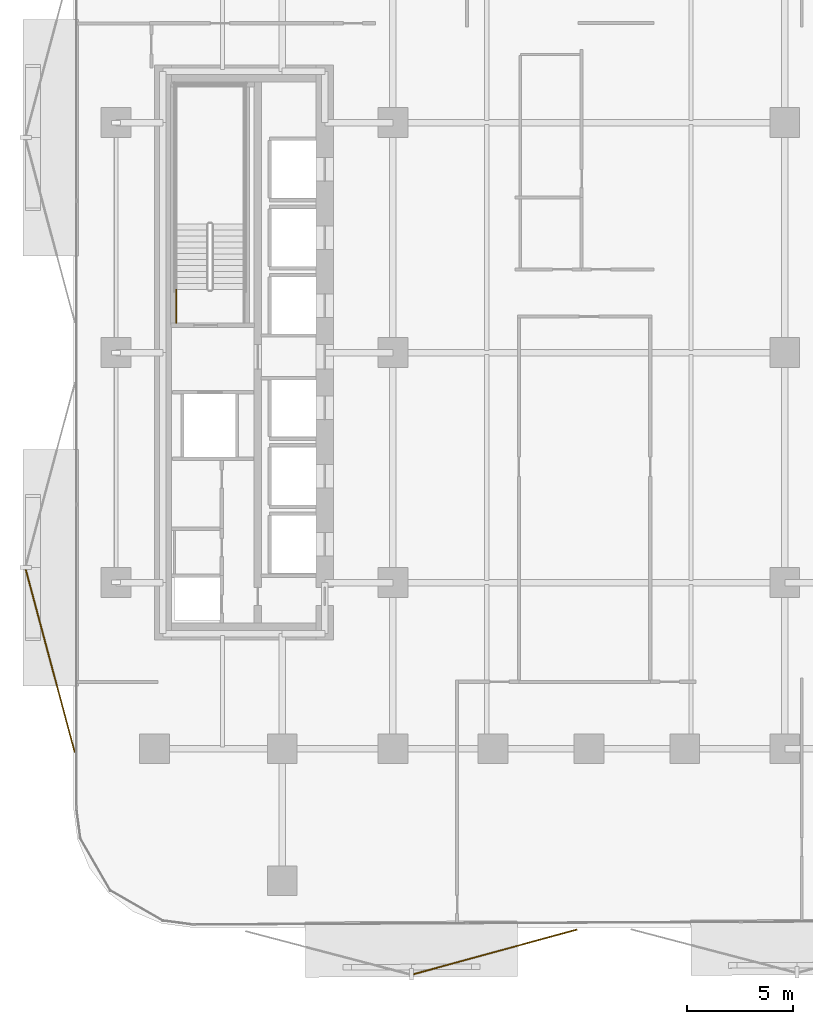
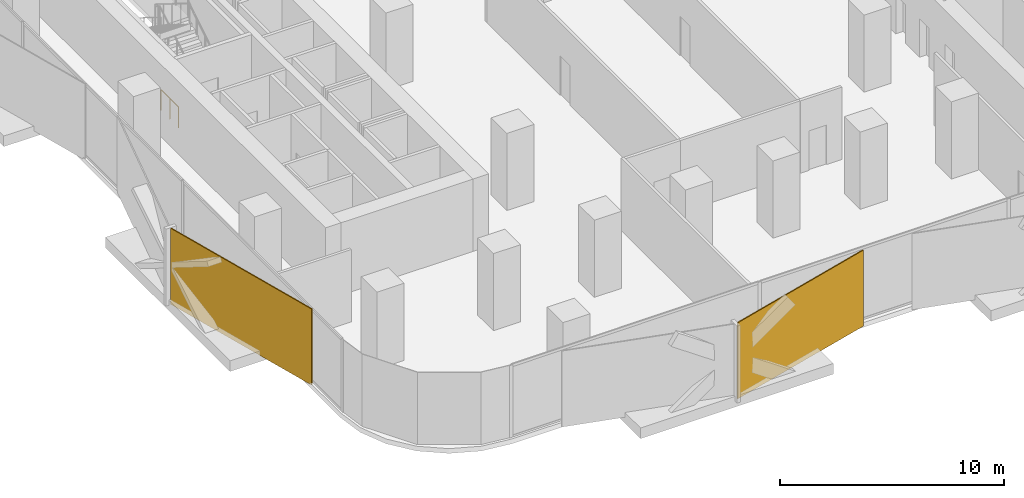
# One storey, part 12 of 16: 2 coverings, 1 railing.
"""IFC4 building model written with IfcOpenShell, lengths in metres."""

from ifc_helpers import new_model, si_unit, direction, frame, origin, origin_2d, place, context, subcontext, project, spatial, rectangle, circle, extrude, material, layer, layer_set, type_object, element, save


model = new_model("IFC4")

# Units and contexts
model_context = context("Model", 3, precision=1e-05, world=origin(), true_north=direction((0.0, 1.0)))
body_context = subcontext(model_context, "Body", "Model", "MODEL_VIEW")
ifc_project = project(units=[si_unit("LENGTHUNIT", "METRE"), si_unit("AREAUNIT", "SQUARE_METRE"), si_unit("VOLUMEUNIT", "CUBIC_METRE"), si_unit("PLANEANGLEUNIT", "RADIAN"), si_unit("MASSUNIT", "GRAM", prefix="KILO")], contexts=[model_context])

# Site, building, storey
site_placement = place(None, origin())
site = spatial("IfcSite", under=ifc_project, at=site_placement, CompositionType="ELEMENT")
building_placement = place(site_placement, origin())
building = spatial("IfcBuilding", under=site, at=building_placement, Name="Khairoan Windgate Tower", CompositionType="ELEMENT")
storey_placement = place(building_placement, frame((0.0, 0.0, 42.800048828125)))
storey = spatial("IfcBuildingStorey", under=building, at=storey_placement, Name="L10", CompositionType="ELEMENT", Elevation=42.800048828125)

# Coverings
ifc_material_1 = material(Name="Anodised Bronze Aluminium 6063-T6", Category="aluminium")
ifc_layer = layer(ifc_material_1, 0.054931640625, Name="Anodised Bronze Aluminium 6063-T6")
ifc_layer_set = layer_set([ifc_layer], Name="Anodised Bronze Aluminium 6063-T6")
covering_type = type_object("IfcCoveringType", Name="Perforated Bronze-Ceramic Folded Solar Screen Cladding BSC-1", PredefinedType="CLADDING", material=ifc_layer_set)
covering_1_placement = place(storey_placement, frame((-4.396484375, -28.140380859375, -0.10009765625), z_axis=(0.0, 0.0, 1.0), x_axis=(-0.964649468762, -0.263536339841, 0.0)))
element("IfcCovering", 1, at=covering_1_placement, inside=storey, type_object=covering_type, Name="L10 Folded Bronze Solar Screen Facet 34L", PredefinedType="CLADDING", context=body_context, shape_type="SweptSolid", body=[
    extrude(rectangle(XDim=7.965087890625, YDim=0.054931640625, at=origin_2d()), origin(), (0.0, 0.0, 1.0), 4.139892578125),
])
covering_2_placement = place(storey_placement, frame((-25.290283203125, -14.47607421875, -0.10009765625), z_axis=(0.0, 0.0, 1.0), x_axis=(-0.258819045103, 0.965925826289, 0.0)))
element("IfcCovering", 2, at=covering_2_placement, inside=storey, type_object=covering_type, Name="L10 Folded Bronze Solar Screen Facet 35L", PredefinedType="CLADDING", context=body_context, shape_type="SweptSolid", body=[
    extrude(rectangle(XDim=8.884033203125, YDim=0.054931640625, at=origin_2d()), origin(), (0.0, 0.0, 1.0), 4.139892578125),
])

# Railing
ifc_material_2 = material(Name="Steel S355", Category="steel")
railing_type = type_object("IfcRailingType", Name="Stairwell Safety Guardrail SGR-1150", PredefinedType="GUARDRAIL", material=ifc_material_2)
railing_placement = place(storey_placement, frame((-19.3701171875, 1.39990234375, 0.0)))
element("IfcRailing", 3, at=railing_placement, inside=storey, type_object=railing_type, Name="L10 ST2 stair guard 9", PredefinedType="GUARDRAIL", context=body_context, shape_type="SweptSolid", body=[
    extrude(circle(Radius=0.02392578125, at=origin_2d()), frame((0.0, 0.0, 1.1259765625), z_axis=(0.0, 1.0, 0.0), x_axis=(-1.0, 0.0, 0.0)), (0.0, 0.0, 1.0), 1.56005859375),
    extrude(circle(Radius=0.02099609375, at=origin_2d()), origin(), (0.0, 0.0, 1.0), 1.101806640625),
    extrude(circle(Radius=0.02099609375, at=origin_2d()), frame((0.0, 0.780029296875, 0.0)), (0.0, 0.0, 1.0), 1.101806640625),
    extrude(circle(Radius=0.02099609375, at=origin_2d()), frame((0.0, 1.56005859375, 0.0)), (0.0, 0.0, 1.0), 1.101806640625),
])

save(model, "model.ifc")
